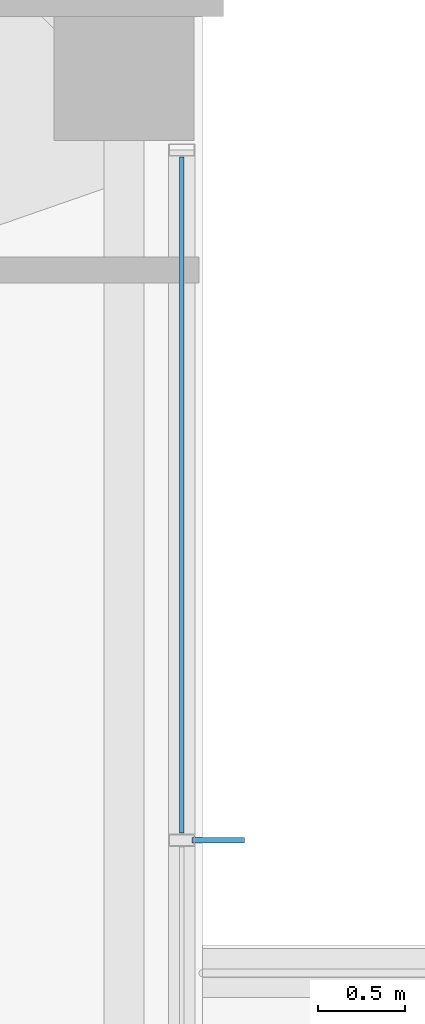
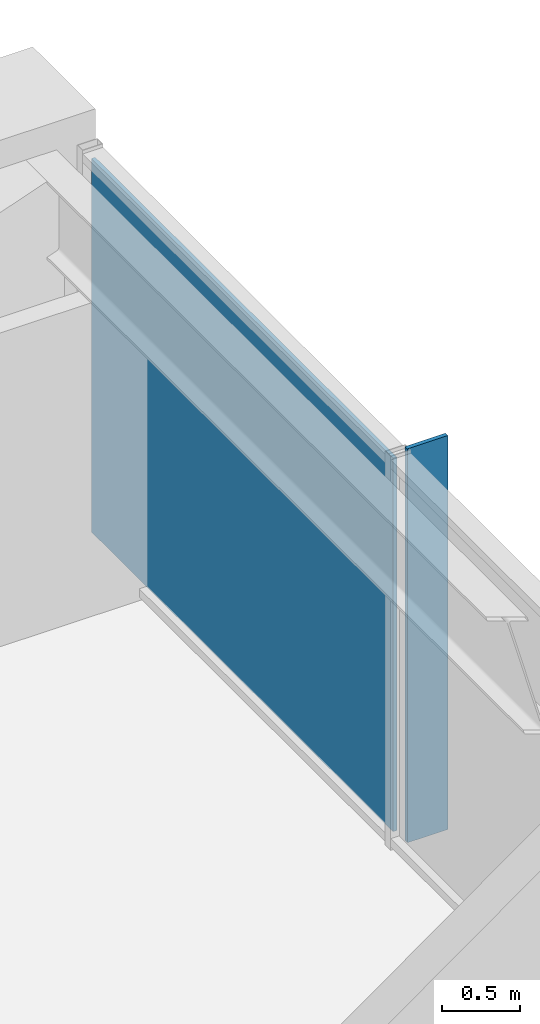
# One storey, part 27 of 35: 2 plates, 1 element without a shape of its own.
"""IFC4 building model written with IfcOpenShell, lengths in metres."""

from ifc_helpers import new_model, si_unit, direction, frame, origin, origin_2d, place, context, subcontext, project, spatial, rectangle, extrude, material, layer, layer_set, type_object, element, aggregate, save


model = new_model("IFC4")

# Units and contexts
model_context = context("Model", 3, precision=1e-05, world=origin(), true_north=direction((0.0, 1.0)))
body_context = subcontext(model_context, "Body", "Model", "MODEL_VIEW")
ifc_project = project(units=[si_unit("LENGTHUNIT", "METRE"), si_unit("AREAUNIT", "SQUARE_METRE"), si_unit("VOLUMEUNIT", "CUBIC_METRE"), si_unit("PLANEANGLEUNIT", "RADIAN"), si_unit("MASSUNIT", "GRAM", prefix="KILO")], contexts=[model_context])

# Site, building, storey
site_placement = place(None, origin())
site = spatial("IfcSite", under=ifc_project, at=site_placement, CompositionType="ELEMENT")
building_placement = place(site_placement, origin())
building = spatial("IfcBuilding", under=site, at=building_placement, Name="Kolvaren Belvedere", CompositionType="ELEMENT")
storey_placement = place(building_placement, frame((0.0, 0.0, 203.10009765625)))
storey = spatial("IfcBuildingStorey", under=building, at=storey_placement, Name="L59", CompositionType="ELEMENT", Elevation=203.10009765625)

# Curtain wall, plate
ifc_material_1 = material(Name="Anodised pale-metal aluminium AA 6063-T6", Category="aluminium")
curtain_wall_type = type_object("IfcCurtainWallType", Name="CW-Z5-HIGH", PredefinedType="NOTDEFINED", material=ifc_material_1)
curtain_wall_placement = place(storey_placement, origin())
curtain_wall = element("IfcCurtainWall", 1, at=curtain_wall_placement, inside=storey, type_object=curtain_wall_type, Name="L59 Unitised Curtain Wall FCW-L59-E1-B1", PredefinedType="NOTDEFINED")
ifc_material_2 = material(Name="Low-iron triple insulated glass", Category="glass")
ifc_layer_1 = layer(ifc_material_2, 0.028076171875)
ifc_layer_set_1 = layer_set([ifc_layer_1], Name="Low-iron triple insulated glass")
plate_type_1 = type_object("IfcPlateType", Name="CW-PNL-VIS28", PredefinedType="CURTAIN_PANEL", material=ifc_layer_set_1)
plate_1_placement = place(storey_placement, frame((20.280029296875, 10.972412109375, 0.079833984375), z_axis=(0.0, 0.0, 1.0), x_axis=(0.0, -1.0, 0.0)))
plate_1 = element("IfcPlate", 2, at=plate_1_placement, type_object=plate_type_1, Name="FCW-L59-E1-B1 Vision Glazing Panel 1", PredefinedType="CURTAIN_PANEL", context=body_context, shape_type="SweptSolid", body=[
    extrude(rectangle(XDim=3.864990234375, YDim=0.028076171875, at=origin_2d()), origin(), (0.0, 0.0, 1.0), 2.919921875),
])
aggregate(curtain_wall, [plate_1])

# Plate
ifc_material_3 = material(Name="Anodised pale-metal aluminium AA 6063-T6", Category="aluminium")
ifc_layer_2 = layer(ifc_material_3, 0.030029296875)
ifc_layer_set_2 = layer_set([ifc_layer_2], Name="Anodised pale-metal aluminium AA 6063-T6")
plate_type_2 = type_object("IfcPlateType", Name="FIN-VERT-300", PredefinedType="USERDEFINED", material=ifc_layer_set_2)
plate_2_placement = place(storey_placement, frame((20.489990234375, 9.0, -0.000244140625), z_axis=(0.0, 0.0, 1.0), x_axis=(1.0, 0.0, 0.0)))
element("IfcPlate", 3, at=plate_2_placement, inside=storey, type_object=plate_type_2, Name="L59 Pale-Metal Vertical Shading Fin FCW-L59-E1-B1-1", ObjectType="VERTICAL FIN", PredefinedType="USERDEFINED", context=body_context, shape_type="SweptSolid", body=[
    extrude(rectangle(XDim=0.300048828125, YDim=0.030029296875, at=origin_2d()), origin(), (0.0, 0.0, 1.0), 3.080078125),
])

save(model, "model.ifc")
